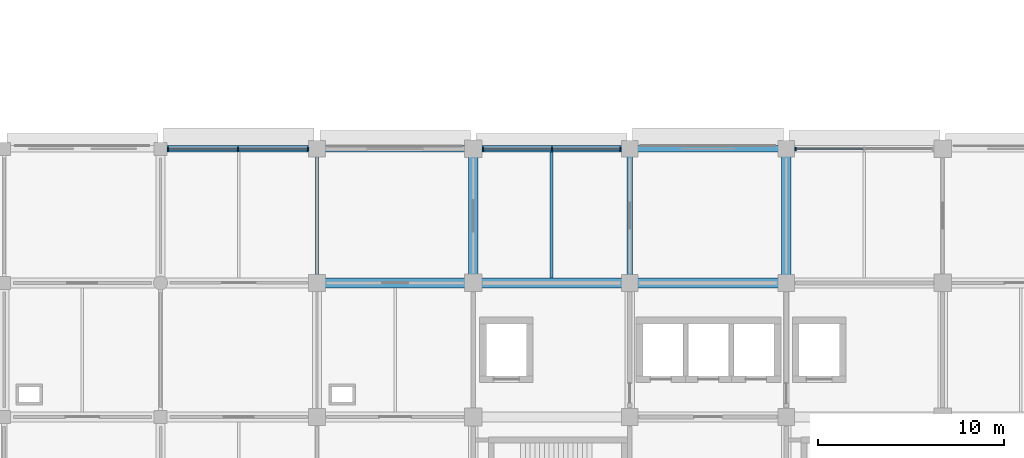
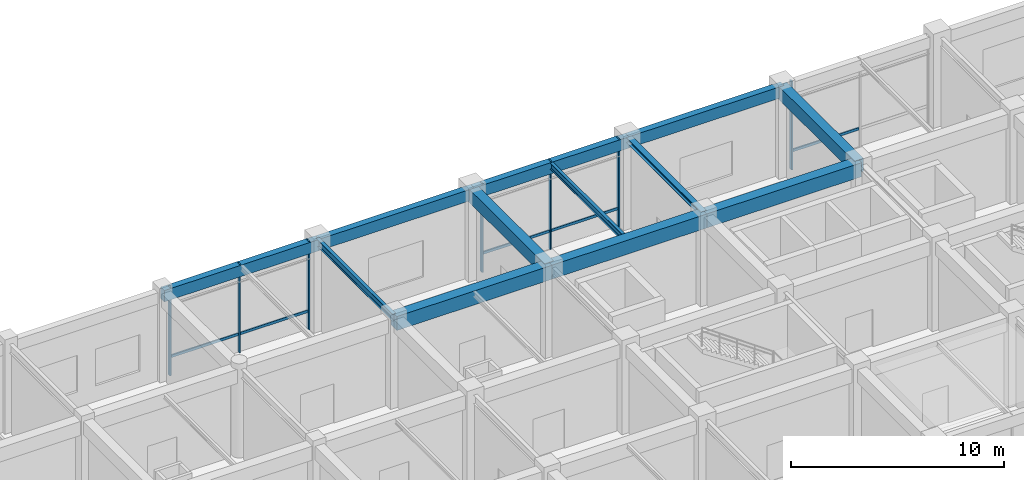
# One storey, part 10 of 41: 12 beams, 12 members, 3 elements without a shape of their own.
"""IFC4 building model written with IfcOpenShell, lengths in metres."""

from ifc_helpers import new_model, si_unit, derived_unit, direction, frame, origin, origin_2d, place, context, subcontext, project, spatial, rectangle, i_section, extrude, material, material_profile, profile_set, type_object, element, aggregate, save


model = new_model("IFC4")

# Units and contexts
model_context = context("Model", 3, precision=1e-05, world=origin(), true_north=direction((0.0, 1.0)))
body_context = subcontext(model_context, "Body", "Model", "MODEL_VIEW")
ifc_project = project(units=[si_unit("LENGTHUNIT", "METRE"), si_unit("AREAUNIT", "SQUARE_METRE"), si_unit("VOLUMEUNIT", "CUBIC_METRE"), si_unit("PLANEANGLEUNIT", "RADIAN"), si_unit("MASSUNIT", "GRAM", prefix="KILO"), derived_unit("THERMALTRANSMITTANCEUNIT", [(si_unit("MASSUNIT", "GRAM", prefix="KILO"), 1), (si_unit("TIMEUNIT", "SECOND"), -3), (si_unit("THERMODYNAMICTEMPERATUREUNIT", "KELVIN"), -1)])], contexts=[model_context])

# Site, building, storey
site_placement = place(None, origin())
site = spatial("IfcSite", under=ifc_project, at=site_placement, CompositionType="ELEMENT")
building_placement = place(site_placement, origin())
building = spatial("IfcBuilding", under=site, at=building_placement, Name="Veldstrom Oceanarium and Marine Research Institute", CompositionType="ELEMENT")
storey_placement = place(building_placement, frame((0.0, 0.0, 6.0)))
storey = spatial("IfcBuildingStorey", under=building, at=storey_placement, Name="L01", CompositionType="ELEMENT", Elevation=6.0)

# Curtain wall, members
ifc_material_1 = material(Name="Anodised Aluminium Framing", Category="aluminium")
curtain_wall_type = type_object("IfcCurtainWallType", Name="ARC-CW-CW02", PredefinedType="USERDEFINED", material=ifc_material_1)
curtain_wall_1_placement = place(storey_placement, origin())
curtain_wall_1 = element("IfcCurtainWall", 1, at=curtain_wall_1_placement, inside=storey, type_object=curtain_wall_type, Name="Curtain Wall CW02 CW-L01-007", ObjectType="Curtain wall", PredefinedType="USERDEFINED")
ifc_material_2 = material(Name="Anodised Aluminium Framing", Category="aluminium")
ifc_material_profile_1 = material_profile(ifc_material_2, rectangle(XDim=0.074951171875, YDim=0.179931640625, at=origin_2d()), Name="ALU-MUL-75x180")
ifc_profile_set_1 = profile_set([ifc_material_profile_1], Name="Anodised Aluminium Framing")
member_type_1 = type_object("IfcMemberType", Name="ARC-MUL-ML1", PredefinedType="MULLION", material=ifc_profile_set_1)
member_1_placement = place(storey_placement, frame((59.18994140625, 72.0, 0.0), z_axis=(0.0, 0.0, 1.0), x_axis=(1.0, 0.0, 0.0)))
member_1 = element("IfcMember", 2, at=member_1_placement, type_object=member_type_1, Name="Curtain Wall Mullion CW-L01-007-MUL-1", PredefinedType="MULLION", context=body_context, shape_type="SweptSolid", body=[
    extrude(rectangle(XDim=0.074951171875, YDim=0.179931640625, at=origin_2d()), origin(), (0.0, 0.0, 1.0), 5.074951171875),
])
member_2_placement = place(storey_placement, frame((62.949951171875, 72.0, 0.0), z_axis=(0.0, 0.0, 1.0), x_axis=(1.0, 0.0, 0.0)))
member_2 = element("IfcMember", 3, at=member_2_placement, type_object=member_type_1, Name="Curtain Wall Mullion CW-L01-007-MUL-2", PredefinedType="MULLION", context=body_context, shape_type="SweptSolid", body=[
    extrude(rectangle(XDim=0.074951171875, YDim=0.179931640625, at=origin_2d()), origin(), (0.0, 0.0, 1.0), 5.074951171875),
])
member_3_placement = place(storey_placement, frame((66.7099609375, 72.0, 0.0), z_axis=(0.0, 0.0, 1.0), x_axis=(1.0, 0.0, 0.0)))
member_3 = element("IfcMember", 4, at=member_3_placement, type_object=member_type_1, Name="Curtain Wall Mullion CW-L01-007-MUL-3", PredefinedType="MULLION", context=body_context, shape_type="SweptSolid", body=[
    extrude(rectangle(XDim=0.074951171875, YDim=0.179931640625, at=origin_2d()), origin(), (0.0, 0.0, 1.0), 5.074951171875),
])

curtain_wall_2_placement = place(storey_placement, origin())
curtain_wall_2 = element("IfcCurtainWall", 5, at=curtain_wall_2_placement, inside=storey, type_object=curtain_wall_type, Name="Curtain Wall CW02 CW-L01-009", ObjectType="Curtain wall", PredefinedType="USERDEFINED")
member_4_placement = place(storey_placement, frame((76.114990234375, 72.0, 0.0), z_axis=(0.0, 0.0, 1.0), x_axis=(1.0, 0.0, 0.0)))
member_4 = element("IfcMember", 6, at=member_4_placement, type_object=member_type_1, Name="Curtain Wall Mullion CW-L01-009-MUL-1", PredefinedType="MULLION", context=body_context, shape_type="SweptSolid", body=[
    extrude(rectangle(XDim=0.074951171875, YDim=0.179931640625, at=origin_2d()), origin(), (0.0, 0.0, 1.0), 5.074951171875),
])
member_5_placement = place(storey_placement, frame((79.8125, 72.0, 0.0), z_axis=(0.0, 0.0, 1.0), x_axis=(1.0, 0.0, 0.0)))
member_5 = element("IfcMember", 7, at=member_5_placement, type_object=member_type_1, Name="Curtain Wall Mullion CW-L01-009-MUL-2", PredefinedType="MULLION", context=body_context, shape_type="SweptSolid", body=[
    extrude(rectangle(XDim=0.074951171875, YDim=0.179931640625, at=origin_2d()), origin(), (0.0, 0.0, 1.0), 5.074951171875),
])
member_6_placement = place(storey_placement, frame((83.510009765625, 72.0, 0.0), z_axis=(0.0, 0.0, 1.0), x_axis=(1.0, 0.0, 0.0)))
member_6 = element("IfcMember", 8, at=member_6_placement, type_object=member_type_1, Name="Curtain Wall Mullion CW-L01-009-MUL-3", PredefinedType="MULLION", context=body_context, shape_type="SweptSolid", body=[
    extrude(rectangle(XDim=0.074951171875, YDim=0.179931640625, at=origin_2d()), origin(), (0.0, 0.0, 1.0), 5.074951171875),
])

# Curtain wall, member
curtain_wall_3_placement = place(storey_placement, origin())
curtain_wall_3 = element("IfcCurtainWall", 9, at=curtain_wall_3_placement, inside=storey, type_object=curtain_wall_type, Name="Curtain Wall CW02 CW-L01-011", ObjectType="Curtain wall", PredefinedType="USERDEFINED")
member_7_placement = place(storey_placement, frame((92.889892578125, 72.0, 0.0), z_axis=(0.0, 0.0, 1.0), x_axis=(1.0, 0.0, 0.0)))
member_7 = element("IfcMember", 10, at=member_7_placement, type_object=member_type_1, Name="Curtain Wall Mullion CW-L01-011-MUL-1", PredefinedType="MULLION", context=body_context, shape_type="SweptSolid", body=[
    extrude(rectangle(XDim=0.074951171875, YDim=0.179931640625, at=origin_2d()), origin(), (0.0, 0.0, 1.0), 5.074951171875),
])

# Member
ifc_material_3 = material(Name="Anodised Aluminium Framing", Category="aluminium")
ifc_material_profile_2 = material_profile(ifc_material_3, rectangle(XDim=0.074951171875, YDim=0.14990234375, at=origin_2d()), Name="ALU-TRN-75x150")
ifc_profile_set_2 = profile_set([ifc_material_profile_2], Name="Anodised Aluminium Framing")
member_type_2 = type_object("IfcMemberType", Name="ARC-TRN-TR1", PredefinedType="USERDEFINED", material=ifc_profile_set_2)
member_8_placement = place(storey_placement, frame((59.22998046875, 72.0, 1.050048828125), z_axis=(1.0, 0.0, 0.0), x_axis=(0.0, 1.0, 0.0)))
member_8 = element("IfcMember", 11, at=member_8_placement, type_object=member_type_2, Name="Curtain Wall Transom CW-L01-007-TRN-1", ObjectType="Transom", PredefinedType="USERDEFINED", context=body_context, shape_type="SweptSolid", body=[
    extrude(rectangle(XDim=0.074951171875, YDim=0.14990234375, at=origin_2d()), origin(), (0.0, 0.0, 1.0), 3.679931640625),
])

member_9_placement = place(storey_placement, frame((62.989990234375, 72.0, 1.050048828125), z_axis=(1.0, 0.0, 0.0), x_axis=(0.0, 1.0, 0.0)))
member_9 = element("IfcMember", 12, at=member_9_placement, type_object=member_type_2, Name="Curtain Wall Transom CW-L01-007-TRN-2", ObjectType="Transom", PredefinedType="USERDEFINED", context=body_context, shape_type="SweptSolid", body=[
    extrude(rectangle(XDim=0.074951171875, YDim=0.14990234375, at=origin_2d()), origin(), (0.0, 0.0, 1.0), 3.679931640625),
])

aggregate(curtain_wall_1, [member_1, member_2, member_3, member_8, member_9])

member_10_placement = place(storey_placement, frame((76.155029296875, 72.0, 1.050048828125), z_axis=(1.0, 0.0, 0.0), x_axis=(0.0, 1.0, 0.0)))
member_10 = element("IfcMember", 13, at=member_10_placement, type_object=member_type_2, Name="Curtain Wall Transom CW-L01-009-TRN-1", ObjectType="Transom", PredefinedType="USERDEFINED", context=body_context, shape_type="SweptSolid", body=[
    extrude(rectangle(XDim=0.074951171875, YDim=0.14990234375, at=origin_2d()), origin(), (0.0, 0.0, 1.0), 3.617431640625),
])

member_11_placement = place(storey_placement, frame((79.8525390625, 72.0, 1.050048828125), z_axis=(1.0, 0.0, 0.0), x_axis=(0.0, 1.0, 0.0)))
member_11 = element("IfcMember", 14, at=member_11_placement, type_object=member_type_2, Name="Curtain Wall Transom CW-L01-009-TRN-2", ObjectType="Transom", PredefinedType="USERDEFINED", context=body_context, shape_type="SweptSolid", body=[
    extrude(rectangle(XDim=0.074951171875, YDim=0.14990234375, at=origin_2d()), origin(), (0.0, 0.0, 1.0), 3.617431640625),
])

aggregate(curtain_wall_2, [member_4, member_5, member_6, member_10, member_11])

member_12_placement = place(storey_placement, frame((92.929931640625, 72.0, 1.050048828125), z_axis=(1.0, 0.0, 0.0), x_axis=(0.0, 1.0, 0.0)))
member_12 = element("IfcMember", 15, at=member_12_placement, type_object=member_type_2, Name="Curtain Wall Transom CW-L01-011-TRN-1", ObjectType="Transom", PredefinedType="USERDEFINED", context=body_context, shape_type="SweptSolid", body=[
    extrude(rectangle(XDim=0.074951171875, YDim=0.14990234375, at=origin_2d()), origin(), (0.0, 0.0, 1.0), 3.61767578125),
])

aggregate(curtain_wall_3, [member_7, member_12])

# Beams
ifc_material_4 = material(Name="Concrete C40/50", Category="concrete")
ifc_material_profile_3 = material_profile(ifc_material_4, rectangle(XDim=0.550048828125, YDim=0.800048828125, at=origin_2d()), Name="RC-BM-550x800")
ifc_profile_set_3 = profile_set([ifc_material_profile_3], Name="Concrete C40/50")
beam_type_1 = type_object("IfcBeamType", Name="STR-BM-B02", PredefinedType="BEAM", material=ifc_profile_set_3)
beam_1_placement = place(storey_placement, frame((67.199951171875, 64.800048828125, 4.669921875), z_axis=(1.0, 0.0, 0.0), x_axis=(0.0, 1.0, 0.0)))
element("IfcBeam", 16, at=beam_1_placement, inside=storey, type_object=beam_type_1, Name="Primary Beam B02 L01-1210", PredefinedType="BEAM", context=body_context, shape_type="SweptSolid", body=[
    extrude(rectangle(XDim=0.550048828125, YDim=0.800048828125, at=origin_2d()), origin(), (0.0, 0.0, 1.0), 8.400146484375),
])
for number, where, z_axis, x_axis, name in (
    (17, (75.60009765625, 64.800048828125, 4.669921875), (1.0, 0.0, 0.0), (0.0, 1.0, 0.0), "Primary Beam B02 L01-1215"),
    (18, (84.0, 64.800048828125, 4.669921875), (1.0, 0.0, 0.0), (0.0, 1.0, 0.0), "Primary Beam B02 L01-1220"),
):
    element("IfcBeam", number, at=place(storey_placement, frame(where, z_axis=z_axis, x_axis=x_axis)), inside=storey, type_object=beam_type_1, Name=name, PredefinedType="BEAM", context=body_context, shape_type="SweptSolid", body=[
        extrude(rectangle(XDim=0.550048828125, YDim=0.800048828125, at=origin_2d()), origin(), (0.0, 0.0, 1.0), 8.39990234375),
    ])
ifc_material_5 = material(Name="Concrete C40/50", Category="concrete")
ifc_material_profile_4 = material_profile(ifc_material_5, rectangle(XDim=0.5, YDim=0.75, at=origin_2d()), Name="RC-BM-500x750")
ifc_profile_set_4 = profile_set([ifc_material_profile_4], Name="Concrete C40/50")
beam_type_2 = type_object("IfcBeamType", Name="STR-BM-B03", PredefinedType="BEAM", material=ifc_profile_set_4)
for number, where, z_axis, x_axis, name in (
    (19, (75.60009765625, 64.800048828125, 4.695068359375), (0.0, 1.0, 0.0), (-1.0, 0.0, 0.0), "Primary Beam B03 L01-1366"),
    (20, (92.39990234375, 64.800048828125, 4.695068359375), (0.0, 1.0, 0.0), (-1.0, 0.0, 0.0), "Primary Beam B03 L01-1374"),
):
    element("IfcBeam", number, at=place(storey_placement, frame(where, z_axis=z_axis, x_axis=x_axis)), inside=storey, type_object=beam_type_2, Name=name, PredefinedType="BEAM", context=body_context, shape_type="SweptSolid", body=[
        extrude(rectangle(XDim=0.5, YDim=0.75, at=origin_2d()), origin(), (0.0, 0.0, 1.0), 7.199951171875),
    ])
ifc_material_6 = material(Name="Steel S355JR", Category="steel")
ifc_material_profile_5 = material_profile(ifc_material_6, i_section(OverallWidth=0.300048828125, OverallDepth=0.2900390625, WebThickness=0.008544921875, FlangeThickness=0.013916015625, FilletRadius=0.027099609375, at=origin_2d()), Name="HEA 300")
ifc_profile_set_5 = profile_set([ifc_material_profile_5], Name="Steel S355JR")
beam_type_3 = type_object("IfcBeamType", Name="STR-BM-SB10", PredefinedType="BEAM", material=ifc_profile_set_5)
beam_2_placement = place(storey_placement, frame((84.0, 64.800048828125, 4.925048828125), z_axis=(0.0, 1.0, 0.0), x_axis=(-1.0, 0.0, 0.0)))
element("IfcBeam", 21, at=beam_2_placement, inside=storey, type_object=beam_type_3, Name="Steel Tie Beam SB10 L01-1370", PredefinedType="BEAM", context=body_context, shape_type="SweptSolid", body=[
    extrude(i_section(OverallWidth=0.300048828125, OverallDepth=0.2900390625, WebThickness=0.008544921875, FlangeThickness=0.013916015625, FilletRadius=0.027099609375, at=origin_2d()), origin(), (0.0, 0.0, 1.0), 7.199951171875),
])
ifc_material_7 = material(Name="Steel S355JR", Category="steel")
ifc_material_profile_6 = material_profile(ifc_material_7, i_section(OverallWidth=0.179931640625, OverallDepth=0.39990234375, WebThickness=0.008544921875, FlangeThickness=0.013427734375, FilletRadius=0.02099609375, at=origin_2d()), Name="IPE 400")
ifc_profile_set_6 = profile_set([ifc_material_profile_6], Name="Steel S355JR")
beam_type_4 = type_object("IfcBeamType", Name="STR-BM-SB8", PredefinedType="BEAM", material=ifc_profile_set_6)
beam_3_placement = place(storey_placement, frame((67.199951171875, 64.800048828125, 4.8701171875), z_axis=(0.0, 1.0, 0.0), x_axis=(-1.0, 0.0, 0.0)))
element("IfcBeam", 22, at=beam_3_placement, inside=storey, type_object=beam_type_4, Name="Steel Tie Beam SB8 L01-1362", PredefinedType="BEAM", context=body_context, shape_type="SweptSolid", body=[
    extrude(i_section(OverallWidth=0.179931640625, OverallDepth=0.39990234375, WebThickness=0.008544921875, FlangeThickness=0.013427734375, FilletRadius=0.02099609375, at=origin_2d()), origin(), (0.0, 0.0, 1.0), 7.199951171875),
])
ifc_material_8 = material(Name="Steel S355JR", Category="steel")
ifc_material_profile_7 = material_profile(ifc_material_8, i_section(OverallWidth=0.169921875, OverallDepth=0.360107421875, WebThickness=0.008056640625, FlangeThickness=0.0126953125, FilletRadius=0.01806640625, at=origin_2d()), Name="IPE 360")
ifc_profile_set_7 = profile_set([ifc_material_profile_7], Name="Steel S355JR")
beam_type_5 = type_object("IfcBeamType", Name="STR-JST-SJ1", PredefinedType="JOIST", material=ifc_profile_set_7)
beam_4_placement = place(storey_placement, frame((79.800048828125, 65.074951171875, 4.889892578125), z_axis=(0.0, 1.0, 0.0), x_axis=(-1.0, 0.0, 0.0)))
element("IfcBeam", 23, at=beam_4_placement, inside=storey, type_object=beam_type_5, Name="Secondary Joist SJ1 L01-1464", PredefinedType="JOIST", context=body_context, shape_type="SweptSolid", body=[
    extrude(i_section(OverallWidth=0.169921875, OverallDepth=0.360107421875, WebThickness=0.008056640625, FlangeThickness=0.0126953125, FilletRadius=0.01806640625, at=origin_2d()), origin(), (0.0, 0.0, 1.0), 6.75),
])
ifc_material_9 = material(Name="Concrete C40/50", Category="concrete")
ifc_material_profile_8 = material_profile(ifc_material_9, rectangle(XDim=0.35009765625, YDim=0.64990234375, at=origin_2d()), Name="RC-SPN-350x650")
ifc_profile_set_8 = profile_set([ifc_material_profile_8], Name="Concrete C40/50")
beam_type_6 = type_object("IfcBeamType", Name="STR-SPN-SP1", PredefinedType="SPANDREL", material=ifc_profile_set_8)
beam_5_placement = place(storey_placement, frame((58.800048828125, 72.0, 4.7451171875), z_axis=(1.0, 0.0, 0.0), x_axis=(0.0, 1.0, 0.0)))
element("IfcBeam", 24, at=beam_5_placement, inside=storey, type_object=beam_type_6, Name="Perimeter Spandrel SPB1 L01-1206", PredefinedType="SPANDREL", context=body_context, shape_type="SweptSolid", body=[
    extrude(rectangle(XDim=0.35009765625, YDim=0.64990234375, at=origin_2d()), origin(), (0.0, 0.0, 1.0), 8.39990234375),
])
beam_6_placement = place(storey_placement, frame((67.199951171875, 72.0, 4.7451171875), z_axis=(1.0, 0.0, 0.0), x_axis=(0.0, 1.0, 0.0)))
element("IfcBeam", 25, at=beam_6_placement, inside=storey, type_object=beam_type_6, Name="Perimeter Spandrel SPB1 L01-1211", PredefinedType="SPANDREL", context=body_context, shape_type="SweptSolid", body=[
    extrude(rectangle(XDim=0.35009765625, YDim=0.64990234375, at=origin_2d()), origin(), (0.0, 0.0, 1.0), 8.400146484375),
])
for number, where, z_axis, x_axis, name in (
    (26, (75.60009765625, 72.0, 4.7451171875), (1.0, 0.0, 0.0), (0.0, 1.0, 0.0), "Perimeter Spandrel SPB1 L01-1216"),
    (27, (84.0, 72.0, 4.7451171875), (1.0, 0.0, 0.0), (0.0, 1.0, 0.0), "Perimeter Spandrel SPB1 L01-1221"),
):
    element("IfcBeam", number, at=place(storey_placement, frame(where, z_axis=z_axis, x_axis=x_axis)), inside=storey, type_object=beam_type_6, Name=name, PredefinedType="SPANDREL", context=body_context, shape_type="SweptSolid", body=[
        extrude(rectangle(XDim=0.35009765625, YDim=0.64990234375, at=origin_2d()), origin(), (0.0, 0.0, 1.0), 8.39990234375),
    ])

save(model, "model.ifc")
